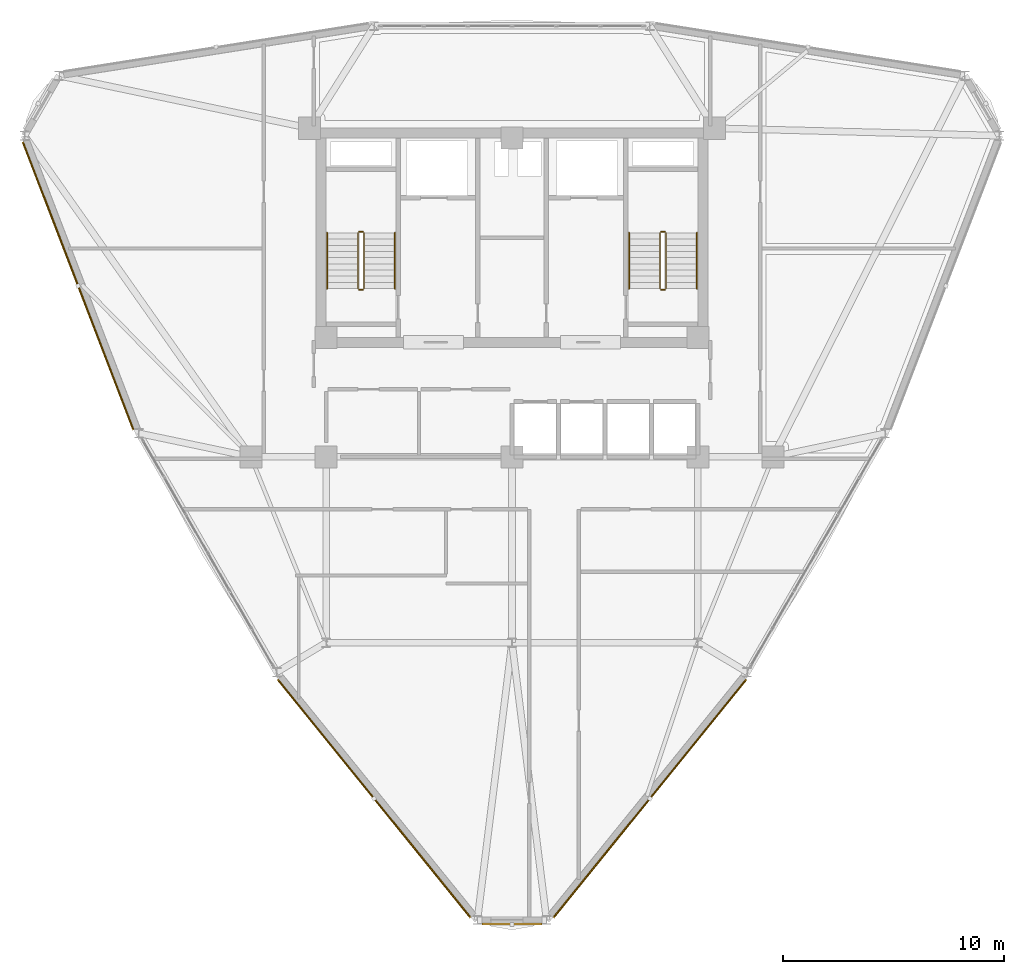
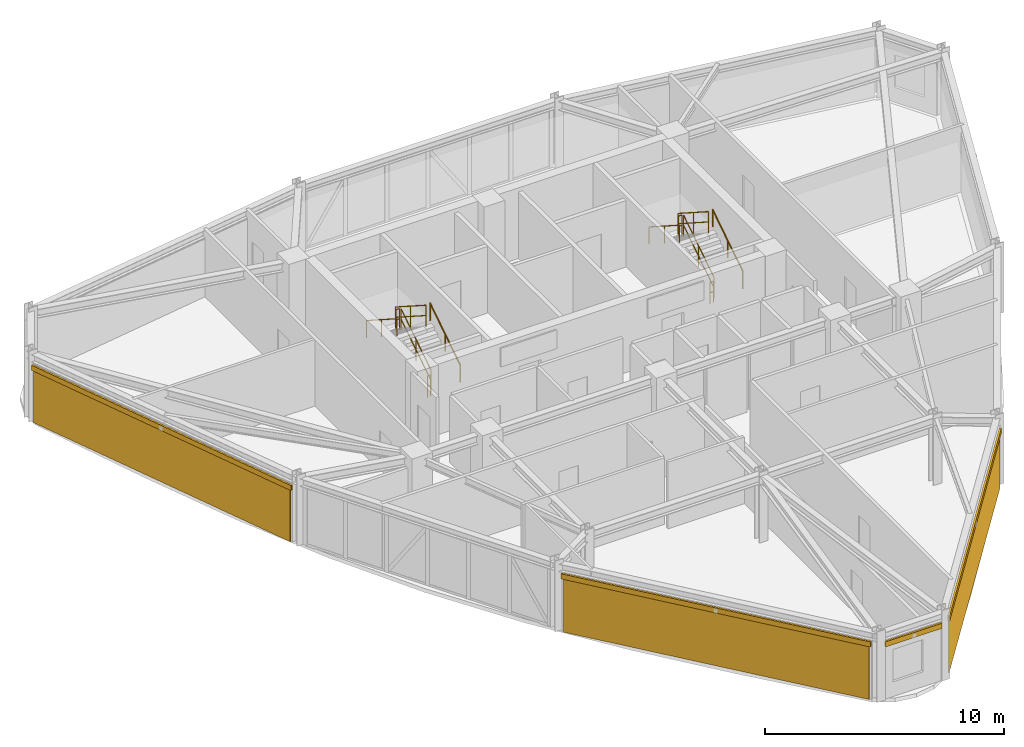
# One storey, part 13 of 14: 12 railings, 4 shading devices, 3 coverings.
"""IFC4 building model written with IfcOpenShell, lengths in metres."""

import ifcopenshell
import ifcopenshell.guid

model = None  # the IFC model being written
_history = None  # IfcOwnerHistory: only IFC2X3 demands one
_inside = {}  # id of a spatial element -> (the spatial element, [elements in it])
_under = {}  # id of a project, library or spatial element -> (it, [spatial elements below it])
_declared = {}  # id of a project -> (the project, [libraries it declares])
_typed = {}  # id of a type object -> (the type object, [elements of that type])
_made_of = {}  # id of a material, layer set ... -> (it, [elements and type objects made of it])


def new_model(schema):
    """Start an empty IFC model of exactly this schema.

    Asked for "IFC4X3", IfcOpenShell would pick the latest addendum, in which some entities
    have other attributes; the version numbers below select the first issue.
    IFC2X3 requires an IfcOwnerHistory on every rooted entity: one is made here for all.
    """
    global model, _history
    if schema == "IFC4X3":
        model = ifcopenshell.file(schema_version=(4, 3, 0, 0))
    else:
        model = ifcopenshell.file(schema=schema)
    _inside.clear()
    _under.clear()
    _declared.clear()
    _typed.clear()
    _made_of.clear()
    _history = None
    if model.schema == "IFC2X3":
        org = make("IfcOrganization", Name="unknown")
        user = make(
            "IfcPersonAndOrganization",
            ThePerson=make("IfcPerson", FamilyName="unknown"),
            TheOrganization=org,
        )
        app = make(
            "IfcApplication",
            ApplicationDeveloper=org,
            Version="unknown",
            ApplicationFullName="unknown",
            ApplicationIdentifier="unknown",
        )
        _history = make(
            "IfcOwnerHistory",
            OwningUser=user,
            OwningApplication=app,
            ChangeAction="ADDED",
            CreationDate=0,
        )
    return model


def make(cls, **values):
    """One entity of the class cls with the attributes given. An attribute that is None is left unset."""
    return model.create_entity(
        cls, **{name: value for name, value in values.items() if value is not None}
    )


def rooted(cls, **values):
    """An entity with a GlobalId (a new one), such as an element, a storey or a relation."""
    return make(cls, GlobalId=ifcopenshell.guid.new(), OwnerHistory=_history, **values)


def si_unit(unit_type, name, prefix=None):
    """IfcSIUnit, for example si_unit("LENGTHUNIT", "METRE", prefix="MILLI")."""
    return make("IfcSIUnit", UnitType=unit_type, Prefix=prefix, Name=name)


def derived_unit(unit_type, elements):
    """IfcDerivedUnit: a product of units, each with its exponent."""
    return make(
        "IfcDerivedUnit",
        Elements=[
            make("IfcDerivedUnitElement", Unit=unit, Exponent=power)
            for unit, power in elements
        ],
        UnitType=unit_type,
    )


def assignment(units):
    """IfcUnitAssignment: the units of a project."""
    return None if units is None else make("IfcUnitAssignment", Units=units)


def point(xyz):
    """IfcCartesianPoint."""
    return None if xyz is None else make("IfcCartesianPoint", Coordinates=xyz)


def direction(xyz):
    """IfcDirection."""
    return None if xyz is None else make("IfcDirection", DirectionRatios=xyz)


def frame(location, z_axis=None, x_axis=None):
    """IfcAxis2Placement3D, a coordinate frame: its origin and axes. An axis left out is left unset."""
    return make(
        "IfcAxis2Placement3D",
        Location=point(location),
        Axis=direction(z_axis),
        RefDirection=direction(x_axis),
    )


def frame_2d(location, x_axis=None):
    """IfcAxis2Placement2D, a coordinate frame in the plane: its origin and x axis."""
    return make(
        "IfcAxis2Placement2D", Location=point(location), RefDirection=direction(x_axis)
    )


def origin():
    """The frame at (0, 0, 0) with its axes left unset."""
    return frame((0.0, 0.0, 0.0))


def origin_2d():
    """The frame at (0, 0) in the plane with its x axis left unset."""
    return frame_2d((0.0, 0.0))


def place(relative_to, where):
    """IfcLocalPlacement: puts the frame where relative to a parent placement (None: the world)."""
    return make(
        "IfcLocalPlacement", PlacementRelTo=relative_to, RelativePlacement=where
    )


def context(
    kind, dimensions, precision=None, world=None, true_north=None, identifier=None
):
    """IfcGeometricRepresentationContext, for example the 3D "Model" context."""
    return make(
        "IfcGeometricRepresentationContext",
        ContextIdentifier=identifier,
        ContextType=kind,
        CoordinateSpaceDimension=dimensions,
        Precision=precision,
        WorldCoordinateSystem=world,
        TrueNorth=true_north,
    )


def subcontext(parent, identifier, kind, view, scale=None):
    """IfcGeometricRepresentationSubContext, for example "Body" below "Model"."""
    return make(
        "IfcGeometricRepresentationSubContext",
        ContextIdentifier=identifier,
        ContextType=kind,
        ParentContext=parent,
        TargetScale=scale,
        TargetView=view,
    )


def project(units=None, contexts=None):
    """IfcProject with its units and contexts."""
    return rooted(
        "IfcProject",
        Name="project",
        RepresentationContexts=contexts,
        UnitsInContext=assignment(units),
    )


def spatial(cls, under=None, at=None, **own):
    """A site, building, storey or space (cls), placed at a placement, below another one or the project."""
    s = rooted(cls, ObjectPlacement=at, **own)
    if under is not None:
        _under.setdefault(under.id(), (under, []))[1].append(s)
    return s


def polyline(points):
    """IfcPolyline through the points."""
    return make("IfcPolyline", Points=[point(p) for p in points])


def profile(cls, at=None, kind="AREA", **sizes):
    """A parametric profile (cls). Its sizes go by their IFC names, for example OverallWidth=200.0."""
    return make(cls, ProfileType=kind, Position=at, **sizes)


def hollow_rectangle(**sizes):
    """IfcRectangleHollowProfileDef."""
    return profile("IfcRectangleHollowProfileDef", **sizes)


def circle(**sizes):
    """IfcCircleProfileDef."""
    return profile("IfcCircleProfileDef", **sizes)


def outline(outer, holes=None, kind="AREA"):
    """IfcArbitraryClosedProfileDef: a profile drawn as a closed curve; with holes, ...WithVoids."""
    if holes is None:
        return make("IfcArbitraryClosedProfileDef", ProfileType=kind, OuterCurve=outer)
    return make(
        "IfcArbitraryProfileDefWithVoids",
        ProfileType=kind,
        OuterCurve=outer,
        InnerCurves=holes,
    )


def extrude(swept, where, along, depth):
    """IfcExtrudedAreaSolid: the profile swept, set in the frame where, extruded along a direction by depth."""
    return make(
        "IfcExtrudedAreaSolid",
        SweptArea=swept,
        Position=where,
        ExtrudedDirection=direction(along),
        Depth=depth,
    )


def shape(context_of_items, identifier, shape_type, items):
    """IfcShapeRepresentation: the items that make up one representation, for example the "Body"."""
    return make(
        "IfcShapeRepresentation",
        ContextOfItems=context_of_items,
        RepresentationIdentifier=identifier,
        RepresentationType=shape_type,
        Items=items,
    )


def source(mapping_origin, context_of_items, identifier, shape_type, items):
    """IfcRepresentationMap: a shape defined once, which mapped items show again and again."""
    return make(
        "IfcRepresentationMap",
        MappingOrigin=mapping_origin,
        MappedRepresentation=shape(context_of_items, identifier, shape_type, items),
    )


def transform(
    local_origin,
    x_axis=None,
    y_axis=None,
    z_axis=None,
    scale=None,
    scale2=None,
    scale3=None,
    uniform=True,
):
    """IfcCartesianTransformationOperator3D, or its non-uniform kind. x_axis, y_axis, z_axis: its Axis1, 2, 3."""
    if uniform:
        return make(
            "IfcCartesianTransformationOperator3D",
            Axis1=direction(x_axis),
            Axis2=direction(y_axis),
            LocalOrigin=point(local_origin),
            Scale=scale,
            Axis3=direction(z_axis),
        )
    return make(
        "IfcCartesianTransformationOperator3DnonUniform",
        Axis1=direction(x_axis),
        Axis2=direction(y_axis),
        LocalOrigin=point(local_origin),
        Scale=scale,
        Axis3=direction(z_axis),
        Scale2=scale2,
        Scale3=scale3,
    )


def mapped(mapping_source, mapping_target):
    """IfcMappedItem: shows the shape of a source again, moved by a transform."""
    return make(
        "IfcMappedItem", MappingSource=mapping_source, MappingTarget=mapping_target
    )


def material(Name=None, Category=None):
    """IfcMaterial."""
    return make("IfcMaterial", Name=Name, Category=Category)


def layer(
    of_material, thickness, ventilated=None, Name=None, Category=None, Priority=None
):
    """IfcMaterialLayer: one layer of a wall or slab, of a material (None: an air gap)."""
    return make(
        "IfcMaterialLayer",
        Material=of_material,
        LayerThickness=thickness,
        IsVentilated=ventilated,
        Name=Name,
        Category=Category,
        Priority=Priority,
    )


def layer_set(layers, Name=None):
    """IfcMaterialLayerSet."""
    return make("IfcMaterialLayerSet", MaterialLayers=layers, LayerSetName=Name)


def material_profile(
    of_material, cross_section, Name=None, Category=None, Priority=None
):
    """IfcMaterialProfile: a cross section and its material."""
    return make(
        "IfcMaterialProfile",
        Name=Name,
        Material=of_material,
        Profile=cross_section,
        Priority=Priority,
        Category=Category,
    )


def profile_set(profiles, Name=None, composite=None):
    """IfcMaterialProfileSet."""
    return make(
        "IfcMaterialProfileSet",
        Name=Name,
        MaterialProfiles=profiles,
        CompositeProfile=composite,
    )


def made_of(thing, what):
    """Note that an element or type object is made of a material, layer set ...; save() writes the relation."""
    if what is not None:
        _made_of.setdefault(what.id(), (what, []))[1].append(thing)
    return thing


def type_object(cls, material=None, **own):
    """A type object (cls), such as IfcWallType, which elements share."""
    return made_of(rooted(cls, **own), material)


def element(
    cls,
    number,
    at=None,
    inside=None,
    cuts=None,
    type_object=None,
    material=None,
    context=None,
    identifier="Body",
    shape_type=None,
    held_by="IfcProductDefinitionShape",
    body=None,
    shapes=None,
    **own,
):
    """One element of the class cls, such as IfcWall. Its Tag is "e" and its number.

    at: its placement. inside: the storey or other place that contains it. cuts: it is an
    opening in that element (IfcRelVoidsElement). A single representation is given by context,
    identifier, shape_type and body (its items); several are given by shapes. held_by: the class
    of the entity that holds the representations. save() writes the other relations.
    """
    e = rooted(cls, Tag="e%d" % number, ObjectPlacement=at, **own)
    if body is not None:
        shapes = [shape(context, identifier, shape_type, body)]
    if shapes is not None:
        e.Representation = make(held_by, Representations=shapes)
    if inside is not None:
        _inside.setdefault(inside.id(), (inside, []))[1].append(e)
    if cuts is not None:
        rooted(
            "IfcRelVoidsElement", RelatingBuildingElement=cuts, RelatedOpeningElement=e
        )
    if type_object is not None:
        _typed.setdefault(type_object.id(), (type_object, []))[1].append(e)
    return made_of(e, material)


def aggregate(whole, parts):
    """IfcRelAggregates: a whole, such as a stair, and the parts it consists of."""
    return rooted("IfcRelAggregates", RelatingObject=whole, RelatedObjects=parts)


def save(model, path):
    """Write the relations noted so far, then the file.

    IfcRelAggregates (storeys below a building ...), IfcRelContainedInSpatialStructure (elements
    in a storey), IfcRelDefinesByType, IfcRelAssociatesMaterial and IfcRelDeclares: one each for
    every whole, place, type object, material and project.
    """
    for whole, parts in _under.values():
        aggregate(whole, parts)
    for where, things in _inside.values():
        rooted(
            "IfcRelContainedInSpatialStructure",
            RelatedElements=things,
            RelatingStructure=where,
        )
    for kind, things in _typed.values():
        rooted("IfcRelDefinesByType", RelatedObjects=things, RelatingType=kind)
    for what, things in _made_of.values():
        rooted("IfcRelAssociatesMaterial", RelatedObjects=things, RelatingMaterial=what)
    for by, libraries in _declared.values():
        rooted("IfcRelDeclares", RelatingContext=by, RelatedDefinitions=libraries)
    model.write(path)


model = new_model("IFC4")

# Units and contexts
model_context = context("Model", 3, precision=1e-05, world=origin(), true_north=direction((0.0, 1.0)))
body_context = subcontext(model_context, "Body", "Model", "MODEL_VIEW")
ifc_project = project(units=[si_unit("LENGTHUNIT", "METRE"), si_unit("AREAUNIT", "SQUARE_METRE"), si_unit("VOLUMEUNIT", "CUBIC_METRE"), si_unit("PLANEANGLEUNIT", "RADIAN"), si_unit("MASSUNIT", "GRAM", prefix="KILO"), derived_unit("THERMALTRANSMITTANCEUNIT", [(si_unit("POWERUNIT", "WATT"), 1), (si_unit("LENGTHUNIT", "METRE"), -2), (si_unit("THERMODYNAMICTEMPERATUREUNIT", "KELVIN"), -1)])], contexts=[model_context])

# Site, building, storey
site_placement = place(None, origin())
site = spatial("IfcSite", under=ifc_project, at=site_placement, CompositionType="ELEMENT")
building_placement = place(site_placement, origin())
building = spatial("IfcBuilding", under=site, at=building_placement, Name="Korsvarv Bourse and Concert Hall", CompositionType="ELEMENT")
storey_placement = place(building_placement, frame((0.0, 0.0, 190.199951171875)))
storey = spatial("IfcBuildingStorey", under=building, at=storey_placement, Name="L49", CompositionType="ELEMENT", Elevation=190.199951171875)

# Coverings
ifc_material_1 = material(Name="Warm iron-oxide extruded terracotta rainscreen tile", Category="ceramic")
ifc_layer = layer(ifc_material_1, 0.044921875)
ifc_layer_set = layer_set([ifc_layer], Name="Warm iron-oxide extruded terracotta rainscreen tile")
covering_type = type_object("IfcCoveringType", Name="COV-CLD-TC", PredefinedType="CLADDING", material=ifc_layer_set)
covering_1_placement = place(storey_placement, origin())
element("IfcCovering", 1, at=covering_1_placement, inside=storey, type_object=covering_type, Name="L49 fluted terracotta cladding panel EW-L49-B06", PredefinedType="CLADDING", context=body_context, shape_type="SweptSolid", body=[
    extrude(outline(polyline([(13.954345703125, 46.576416015625), (18.901611328125, 33.701416015625), (18.859619140625, 33.685302734375), (13.912353515625, 46.560302734375), (13.954345703125, 46.576416015625)])), origin(), (0.0, 0.0, 1.0), 2.630126953125),
])
covering_2_placement = place(storey_placement, origin())
element("IfcCovering", 2, at=covering_2_placement, inside=storey, type_object=covering_type, Name="L49 fluted terracotta cladding panel EW-L49-B08", PredefinedType="CLADDING", context=body_context, shape_type="SweptSolid", body=[
    extrude(outline(polyline([(25.489013671875, 22.305908203125), (34.107666015625, 11.655517578125), (34.07275390625, 11.627197265625), (25.4541015625, 22.277587890625), (25.489013671875, 22.305908203125)])), origin(), (0.0, 0.0, 1.0), 2.68994140625),
])
covering_3_placement = place(storey_placement, origin())
element("IfcCovering", 3, at=covering_3_placement, inside=storey, type_object=covering_type, Name="L49 fluted terracotta cladding panel EW-L49-B10", PredefinedType="CLADDING", context=body_context, shape_type="SweptSolid", body=[
    extrude(outline(polyline([(37.892333984375, 11.655517578125), (46.510986328125, 22.305908203125), (46.5458984375, 22.277587890625), (37.92724609375, 11.627197265625), (37.892333984375, 11.655517578125)])), origin(), (0.0, 0.0, 1.0), 2.68994140625),
])

# Railings
ifc_material_2 = material(Name="Painted Steel S355 stair well guardrail", Category="steel")
railing_type_1 = type_object("IfcRailingType", Name="RL-ST-GRD", PredefinedType="GUARDRAIL", material=ifc_material_2)
railing_1_placement = place(storey_placement, frame((29.31005859375, 40.0, 0.179931640625)))
element("IfcRailing", 4, at=railing_1_placement, inside=storey, type_object=railing_type_1, Name="L49 ST-T1 stair guard 1", PredefinedType="GUARDRAIL", context=body_context, shape_type="SweptSolid", body=[
    extrude(circle(Radius=0.02392578125, at=origin_2d()), frame((0.0, 0.0, 1.076171875), z_axis=(0.0, 0.841162588446, 0.540782303519), x_axis=(-1.0, 0.0, 0.0)), (0.0, 0.0, 1.0), 2.995849609375),
    extrude(circle(Radius=0.02392578125, at=origin_2d()), frame((0.0, 0.0, 0.550048828125), z_axis=(0.0, 0.841162588446, 0.540782303519), x_axis=(-1.0, 0.0, 0.0)), (0.0, 0.0, 1.0), 2.995849609375),
    extrude(circle(Radius=0.02099609375, at=origin_2d()), origin(), (0.0, 0.0, 1.0), 1.052001953125),
    extrude(circle(Radius=0.02099609375, at=origin_2d()), frame((0.0, 1.260009765625, 0.81005859375)), (0.0, 0.0, 1.0), 1.052001953125),
    extrude(circle(Radius=0.02099609375, at=origin_2d()), frame((0.0, 2.52001953125, 1.6201171875)), (0.0, 0.0, 1.0), 1.052001953125),
])
railing_2_placement = place(storey_placement, frame((29.260009765625, 42.570068359375, 1.800048828125)))
element("IfcRailing", 5, at=railing_2_placement, inside=storey, type_object=railing_type_1, Name="L49 ST-T1 stair guard 2", PredefinedType="GUARDRAIL", context=body_context, shape_type="SweptSolid", body=[
    extrude(circle(Radius=0.02392578125, at=origin_2d()), frame((0.0, 0.0, 1.076171875), z_axis=(-1.0, 0.0, 0.0), x_axis=(0.0, -1.0, 0.0)), (0.0, 0.0, 1.0), 0.159912109375),
    extrude(circle(Radius=0.02392578125, at=origin_2d()), frame((0.0, 0.0, 0.550048828125), z_axis=(-1.0, 0.0, 0.0), x_axis=(0.0, -1.0, 0.0)), (0.0, 0.0, 1.0), 0.159912109375),
    extrude(circle(Radius=0.02099609375, at=origin_2d()), origin(), (0.0, 0.0, 1.0), 1.052001953125),
    extrude(circle(Radius=0.02099609375, at=origin_2d()), frame((-0.159912109375, 0.0, 0.0)), (0.0, 0.0, 1.0), 1.052001953125),
])
railing_3_placement = place(storey_placement, frame((29.050048828125, 42.52001953125, 1.97998046875)))
element("IfcRailing", 6, at=railing_3_placement, inside=storey, type_object=railing_type_1, Name="L49 ST-T1 stair guard 3", PredefinedType="GUARDRAIL", context=body_context, shape_type="SweptSolid", body=[
    extrude(circle(Radius=0.02392578125, at=origin_2d()), frame((0.0, 0.0, 1.076171875), z_axis=(0.0, -0.841162588446, 0.540782303519), x_axis=(1.0, 0.0, 0.0)), (0.0, 0.0, 1.0), 2.995849609375),
    extrude(circle(Radius=0.02392578125, at=origin_2d()), frame((0.0, 0.0, 0.550048828125), z_axis=(0.0, -0.841162588446, 0.540782303519), x_axis=(1.0, 0.0, 0.0)), (0.0, 0.0, 1.0), 2.995849609375),
    extrude(circle(Radius=0.02099609375, at=origin_2d()), origin(), (0.0, 0.0, 1.0), 1.052001953125),
    extrude(circle(Radius=0.02099609375, at=origin_2d()), frame((0.0, -1.260009765625, 0.81005859375)), (0.0, 0.0, 1.0), 1.052001953125),
    extrude(circle(Radius=0.02099609375, at=origin_2d()), frame((0.0, -2.52001953125, 1.6201171875)), (0.0, 0.0, 1.0), 1.052001953125),
])
railing_4_placement = place(storey_placement, frame((29.260009765625, 39.949951171875, 0.0)))
element("IfcRailing", 7, at=railing_4_placement, inside=storey, type_object=railing_type_1, Name="L49 ST-T1 stair guard 4", PredefinedType="GUARDRAIL", context=body_context, shape_type="SweptSolid", body=[
    extrude(circle(Radius=0.02392578125, at=origin_2d()), frame((0.0, 0.0, 1.076171875), z_axis=(-1.0, 0.0, 0.0), x_axis=(0.0, -1.0, 0.0)), (0.0, 0.0, 1.0), 0.159912109375),
    extrude(circle(Radius=0.02392578125, at=origin_2d()), frame((0.0, 0.0, 0.550048828125), z_axis=(-1.0, 0.0, 0.0), x_axis=(0.0, -1.0, 0.0)), (0.0, 0.0, 1.0), 0.159912109375),
    extrude(circle(Radius=0.02099609375, at=origin_2d()), origin(), (0.0, 0.0, 1.0), 1.052001953125),
    extrude(circle(Radius=0.02099609375, at=origin_2d()), frame((-0.159912109375, 0.0, 0.0)), (0.0, 0.0, 1.0), 1.052001953125),
])
railing_5_placement = place(storey_placement, frame((42.949951171875, 40.0, 0.179931640625)))
element("IfcRailing", 8, at=railing_5_placement, inside=storey, type_object=railing_type_1, Name="L49 ST-T2 stair guard 1", PredefinedType="GUARDRAIL", context=body_context, shape_type="SweptSolid", body=[
    extrude(circle(Radius=0.02392578125, at=origin_2d()), frame((0.0, 0.0, 1.076171875), z_axis=(0.0, 0.841162588446, 0.540782303519), x_axis=(-1.0, 0.0, 0.0)), (0.0, 0.0, 1.0), 2.995849609375),
    extrude(circle(Radius=0.02392578125, at=origin_2d()), frame((0.0, 0.0, 0.550048828125), z_axis=(0.0, 0.841162588446, 0.540782303519), x_axis=(-1.0, 0.0, 0.0)), (0.0, 0.0, 1.0), 2.995849609375),
    extrude(circle(Radius=0.02099609375, at=origin_2d()), origin(), (0.0, 0.0, 1.0), 1.052001953125),
    extrude(circle(Radius=0.02099609375, at=origin_2d()), frame((0.0, 1.260009765625, 0.81005859375)), (0.0, 0.0, 1.0), 1.052001953125),
    extrude(circle(Radius=0.02099609375, at=origin_2d()), frame((0.0, 2.52001953125, 1.6201171875)), (0.0, 0.0, 1.0), 1.052001953125),
])
railing_6_placement = place(storey_placement, frame((42.89990234375, 42.570068359375, 1.800048828125)))
element("IfcRailing", 9, at=railing_6_placement, inside=storey, type_object=railing_type_1, Name="L49 ST-T2 stair guard 2", PredefinedType="GUARDRAIL", context=body_context, shape_type="SweptSolid", body=[
    extrude(circle(Radius=0.02392578125, at=origin_2d()), frame((0.0, 0.0, 1.076171875), z_axis=(-1.0, 0.0, 0.0), x_axis=(0.0, -1.0, 0.0)), (0.0, 0.0, 1.0), 0.159912109375),
    extrude(circle(Radius=0.02392578125, at=origin_2d()), frame((0.0, 0.0, 0.550048828125), z_axis=(-1.0, 0.0, 0.0), x_axis=(0.0, -1.0, 0.0)), (0.0, 0.0, 1.0), 0.159912109375),
    extrude(circle(Radius=0.02099609375, at=origin_2d()), origin(), (0.0, 0.0, 1.0), 1.052001953125),
    extrude(circle(Radius=0.02099609375, at=origin_2d()), frame((-0.159912109375, 0.0, 0.0)), (0.0, 0.0, 1.0), 1.052001953125),
])
railing_7_placement = place(storey_placement, frame((42.68994140625, 42.52001953125, 1.97998046875)))
element("IfcRailing", 10, at=railing_7_placement, inside=storey, type_object=railing_type_1, Name="L49 ST-T2 stair guard 3", PredefinedType="GUARDRAIL", context=body_context, shape_type="SweptSolid", body=[
    extrude(circle(Radius=0.02392578125, at=origin_2d()), frame((0.0, 0.0, 1.076171875), z_axis=(0.0, -0.841162588446, 0.540782303519), x_axis=(1.0, 0.0, 0.0)), (0.0, 0.0, 1.0), 2.995849609375),
    extrude(circle(Radius=0.02392578125, at=origin_2d()), frame((0.0, 0.0, 0.550048828125), z_axis=(0.0, -0.841162588446, 0.540782303519), x_axis=(1.0, 0.0, 0.0)), (0.0, 0.0, 1.0), 2.995849609375),
    extrude(circle(Radius=0.02099609375, at=origin_2d()), origin(), (0.0, 0.0, 1.0), 1.052001953125),
    extrude(circle(Radius=0.02099609375, at=origin_2d()), frame((0.0, -1.260009765625, 0.81005859375)), (0.0, 0.0, 1.0), 1.052001953125),
    extrude(circle(Radius=0.02099609375, at=origin_2d()), frame((0.0, -2.52001953125, 1.6201171875)), (0.0, 0.0, 1.0), 1.052001953125),
])
railing_8_placement = place(storey_placement, frame((42.89990234375, 39.949951171875, 0.0)))
element("IfcRailing", 11, at=railing_8_placement, inside=storey, type_object=railing_type_1, Name="L49 ST-T2 stair guard 4", PredefinedType="GUARDRAIL", context=body_context, shape_type="SweptSolid", body=[
    extrude(circle(Radius=0.02392578125, at=origin_2d()), frame((0.0, 0.0, 1.076171875), z_axis=(-1.0, 0.0, 0.0), x_axis=(0.0, -1.0, 0.0)), (0.0, 0.0, 1.0), 0.159912109375),
    extrude(circle(Radius=0.02392578125, at=origin_2d()), frame((0.0, 0.0, 0.550048828125), z_axis=(-1.0, 0.0, 0.0), x_axis=(0.0, -1.0, 0.0)), (0.0, 0.0, 1.0), 0.159912109375),
    extrude(circle(Radius=0.02099609375, at=origin_2d()), origin(), (0.0, 0.0, 1.0), 1.052001953125),
    extrude(circle(Radius=0.02099609375, at=origin_2d()), frame((-0.159912109375, 0.0, 0.0)), (0.0, 0.0, 1.0), 1.052001953125),
])
ifc_material_3 = material(Name="Brushed stainless Steel S355 tubular handrail", Category="steel")
railing_type_2 = type_object("IfcRailingType", Name="RL-ST-HND", PredefinedType="HANDRAIL", material=ifc_material_3)
railing_9_placement = place(storey_placement, frame((30.7099609375, 40.0, 0.179931640625)))
element("IfcRailing", 12, at=railing_9_placement, inside=storey, type_object=railing_type_2, Name="L49 ST-T1 stair handrail 1", PredefinedType="HANDRAIL", context=body_context, shape_type="SweptSolid", body=[
    extrude(circle(Radius=0.02392578125, at=origin_2d()), frame((0.0, 0.0, 0.8759765625), z_axis=(0.0, 0.841162588446, 0.540782303519), x_axis=(-1.0, 0.0, 0.0)), (0.0, 0.0, 1.0), 2.995849609375),
    extrude(circle(Radius=0.02099609375, at=origin_2d()), origin(), (0.0, 0.0, 1.0), 0.851806640625),
    extrude(circle(Radius=0.02099609375, at=origin_2d()), frame((0.0, 1.260009765625, 0.81005859375)), (0.0, 0.0, 1.0), 0.851806640625),
    extrude(circle(Radius=0.02099609375, at=origin_2d()), frame((0.0, 2.52001953125, 1.6201171875)), (0.0, 0.0, 1.0), 0.851806640625),
])
railing_10_placement = place(storey_placement, frame((27.64990234375, 42.52001953125, 1.97998046875)))
element("IfcRailing", 13, at=railing_10_placement, inside=storey, type_object=railing_type_2, Name="L49 ST-T1 stair handrail 2", PredefinedType="HANDRAIL", context=body_context, shape_type="SweptSolid", body=[
    extrude(circle(Radius=0.02392578125, at=origin_2d()), frame((0.0, 0.0, 0.8759765625), z_axis=(0.0, -0.841162588446, 0.540782303519), x_axis=(1.0, 0.0, 0.0)), (0.0, 0.0, 1.0), 2.995849609375),
    extrude(circle(Radius=0.02099609375, at=origin_2d()), origin(), (0.0, 0.0, 1.0), 0.851806640625),
    extrude(circle(Radius=0.02099609375, at=origin_2d()), frame((0.0, -1.260009765625, 0.81005859375)), (0.0, 0.0, 1.0), 0.851806640625),
    extrude(circle(Radius=0.02099609375, at=origin_2d()), frame((0.0, -2.52001953125, 1.6201171875)), (0.0, 0.0, 1.0), 0.851806640625),
])
railing_11_placement = place(storey_placement, frame((44.35009765625, 40.0, 0.179931640625)))
element("IfcRailing", 14, at=railing_11_placement, inside=storey, type_object=railing_type_2, Name="L49 ST-T2 stair handrail 1", PredefinedType="HANDRAIL", context=body_context, shape_type="SweptSolid", body=[
    extrude(circle(Radius=0.02392578125, at=origin_2d()), frame((0.0, 0.0, 0.8759765625), z_axis=(0.0, 0.841162588446, 0.540782303519), x_axis=(-1.0, 0.0, 0.0)), (0.0, 0.0, 1.0), 2.995849609375),
    extrude(circle(Radius=0.02099609375, at=origin_2d()), origin(), (0.0, 0.0, 1.0), 0.851806640625),
    extrude(circle(Radius=0.02099609375, at=origin_2d()), frame((0.0, 1.260009765625, 0.81005859375)), (0.0, 0.0, 1.0), 0.851806640625),
    extrude(circle(Radius=0.02099609375, at=origin_2d()), frame((0.0, 2.52001953125, 1.6201171875)), (0.0, 0.0, 1.0), 0.851806640625),
])
railing_12_placement = place(storey_placement, frame((41.2900390625, 42.52001953125, 1.97998046875)))
element("IfcRailing", 15, at=railing_12_placement, inside=storey, type_object=railing_type_2, Name="L49 ST-T2 stair handrail 2", PredefinedType="HANDRAIL", context=body_context, shape_type="SweptSolid", body=[
    extrude(circle(Radius=0.02392578125, at=origin_2d()), frame((0.0, 0.0, 0.8759765625), z_axis=(0.0, -0.841162588446, 0.540782303519), x_axis=(1.0, 0.0, 0.0)), (0.0, 0.0, 1.0), 2.995849609375),
    extrude(circle(Radius=0.02099609375, at=origin_2d()), origin(), (0.0, 0.0, 1.0), 0.851806640625),
    extrude(circle(Radius=0.02099609375, at=origin_2d()), frame((0.0, -1.260009765625, 0.81005859375)), (0.0, 0.0, 1.0), 0.851806640625),
    extrude(circle(Radius=0.02099609375, at=origin_2d()), frame((0.0, -2.52001953125, 1.6201171875)), (0.0, 0.0, 1.0), 0.851806640625),
])

# Shading devices
ifc_material_4 = material(Name="Glazed extruded architectural terracotta", Category="ceramic")
ifc_material_profile = material_profile(ifc_material_4, hollow_rectangle(XDim=0.090087890625, YDim=0.260009765625, WallThickness=0.011962890625, at=origin_2d()), Name="TC-BAG 90x260")
ifc_profile_set = profile_set([ifc_material_profile], Name="Glazed extruded architectural terracotta")
shading_device_type = type_object("IfcShadingDeviceType", Name="SHD-BAG-1", PredefinedType="USERDEFINED", material=ifc_profile_set)
shared_shape_1 = source(origin(), body_context, "Body", "SweptSolid", [
    extrude(hollow_rectangle(XDim=0.090087890625, YDim=0.260009765625, WallThickness=0.011962890625, at=origin_2d()), origin(), (0.0, 0.0, 1.0), 13.952880859375),
])
shading_device_1_placement = place(storey_placement, frame((13.88818359375, 46.63671875, 2.7900390625), z_axis=(0.358682414456, -0.933459653954, 0.0), x_axis=(0.933459653954, 0.358682414456, 0.0)))
element("IfcShadingDevice", 16, at=shading_device_1_placement, inside=storey, type_object=shading_device_type, Name="L49 terracotta baguette sunshade EW-L49-B06", ObjectType="BAGUETTE", PredefinedType="USERDEFINED", context=body_context, shape_type="MappedRepresentation", body=[
    mapped(shared_shape_1, transform((0.0, 0.0, 0.0), scale=1.0)),
])
shared_shape_2 = source(origin(), body_context, "Body", "SweptSolid", [
    extrude(hollow_rectangle(XDim=0.090087890625, YDim=0.260009765625, WallThickness=0.011962890625, at=origin_2d()), origin(), (0.0, 0.0, 1.0), 13.86083984375),
])
for number, where, z_axis, x_axis, name in (
    (17, (25.40771484375, 22.343017578125, 2.85009765625), (0.62905431668, -0.777361348837, 0.0), (0.777361348837, 0.62905431668, 0.0), "L49 terracotta baguette sunshade EW-L49-B08"),
    (18, (37.873046875, 11.568115234375, 2.85009765625), (0.62905431668, 0.777361348837, 0.0), (-0.777361348837, 0.62905431668, 0.0), "L49 terracotta baguette sunshade EW-L49-B10"),
):
    element("IfcShadingDevice", number, at=place(storey_placement, frame(where, z_axis=z_axis, x_axis=x_axis)), inside=storey, type_object=shading_device_type, Name=name, ObjectType="BAGUETTE", PredefinedType="USERDEFINED", context=body_context, shape_type="MappedRepresentation", body=[
        mapped(shared_shape_2, transform((0.0, 0.0, 0.0), scale=1.0)),
    ])
shared_shape_3 = source(origin(), body_context, "Body", "SweptSolid", [
    extrude(hollow_rectangle(XDim=0.090087890625, YDim=0.260009765625, WallThickness=0.011962890625, at=origin_2d()), origin(), (0.0, 0.0, 1.0), 2.71337890625),
])
shading_device_2_placement = place(storey_placement, frame((34.643310546875, 11.280029296875, 2.85009765625), z_axis=(1.0, 0.0, 0.0), x_axis=(0.0, 1.0, 0.0)))
element("IfcShadingDevice", 19, at=shading_device_2_placement, inside=storey, type_object=shading_device_type, Name="L49 terracotta baguette sunshade EW-L49-B09", ObjectType="BAGUETTE", PredefinedType="USERDEFINED", context=body_context, shape_type="MappedRepresentation", body=[
    mapped(shared_shape_3, transform((0.0, 0.0, 0.0), scale=1.0)),
])

save(model, "model.ifc")
